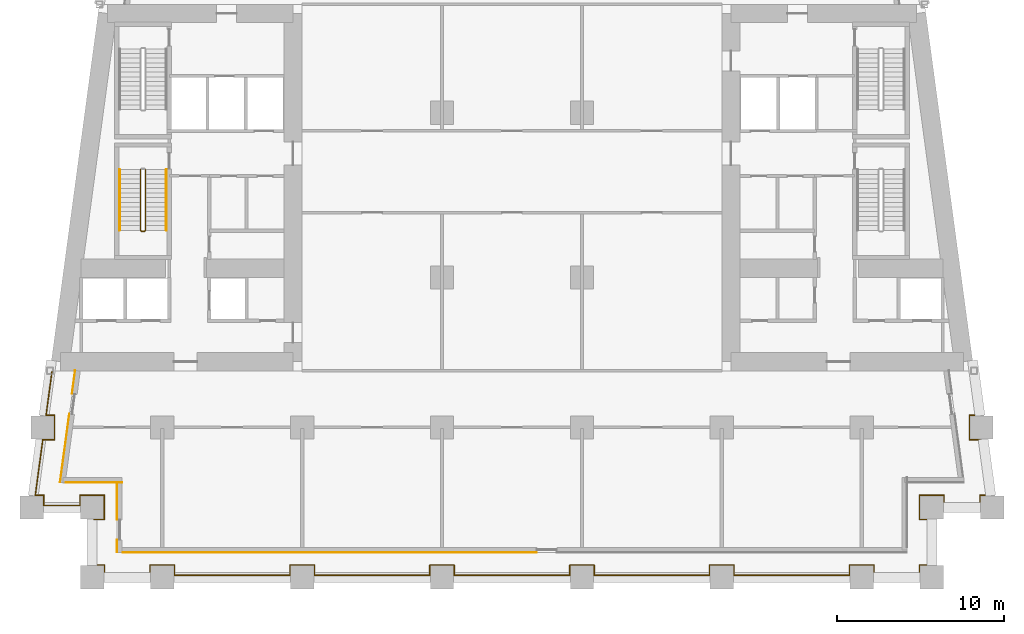
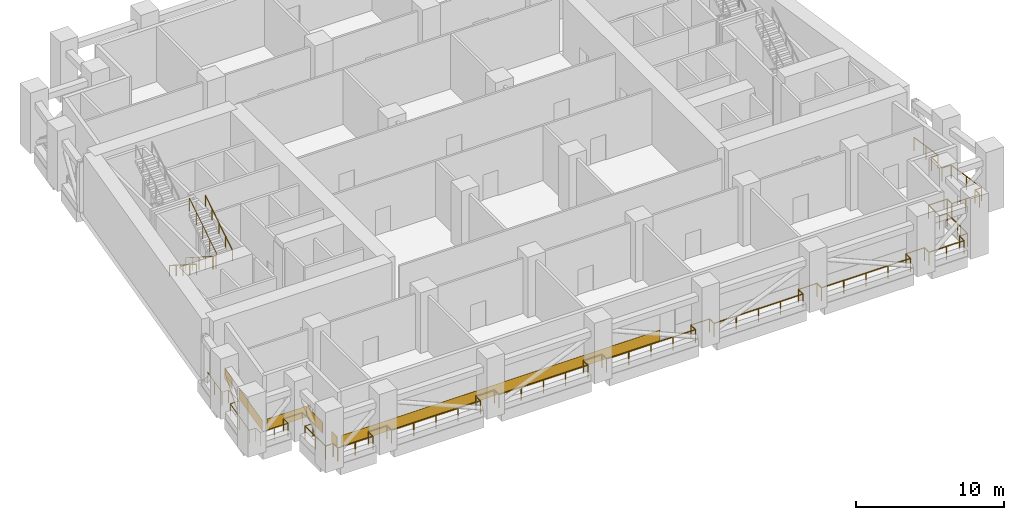
# One storey, part 9 of 12: 6 coverings, 5 railings.
"""IFC4 building model written with IfcOpenShell, lengths in metres."""

from ifc_helpers import new_model, si_unit, direction, frame, origin, origin_2d, place, context, subcontext, project, spatial, rectangle, circle, extrude, material, layer, layer_set, type_object, element, save


model = new_model("IFC4")

# Units and contexts
model_context = context("Model", 3, precision=1e-05, world=origin(), true_north=direction((0.0, 1.0)))
body_context = subcontext(model_context, "Body", "Model", "MODEL_VIEW")
ifc_project = project(units=[si_unit("LENGTHUNIT", "METRE"), si_unit("AREAUNIT", "SQUARE_METRE"), si_unit("VOLUMEUNIT", "CUBIC_METRE"), si_unit("PLANEANGLEUNIT", "RADIAN"), si_unit("MASSUNIT", "GRAM", prefix="KILO")], contexts=[model_context])

# Site, building, storey
site_placement = place(None, origin())
site = spatial("IfcSite", under=ifc_project, at=site_placement, CompositionType="ELEMENT")
building_placement = place(site_placement, origin())
building = spatial("IfcBuilding", under=site, at=building_placement, Name="Candeia Pilgrim Tower and Theatre", CompositionType="ELEMENT")
storey_placement = place(building_placement, frame((0.0, 0.0, 81.0)))
storey = spatial("IfcBuildingStorey", under=building, at=storey_placement, Name="L18", CompositionType="ELEMENT", Elevation=81.0)

# Railings
ifc_material_1 = material(Name="Stainless steel balustrade", Category="steel")
railing_type_1 = type_object("IfcRailingType", Name="G1 loggia guard 1100", PredefinedType="GUARDRAIL", material=ifc_material_1)
railing_1_placement = place(storey_placement, frame((88.320068359375, 101.469970703125, 0.0)))
element("IfcRailing", 1, at=railing_1_placement, inside=storey, type_object=railing_type_1, Name="Guard L18.1", PredefinedType="GUARDRAIL", context=body_context, shape_type="SweptSolid", body=[
    extrude(circle(Radius=0.02392578125, at=origin_2d()), frame((0.0, 0.0, 1.076171875), z_axis=(1.0, 0.0, 0.0), x_axis=(0.0, 1.0, 0.0)), (0.0, 0.0, 1.0), 0.60986328125),
    extrude(circle(Radius=0.02392578125, at=origin_2d()), frame((0.60986328125, 0.0, 1.076171875), z_axis=(0.0, 1.0, 0.0), x_axis=(-1.0, 0.0, 0.0)), (0.0, 0.0, 1.0), 1.4599609375),
    extrude(circle(Radius=0.02392578125, at=origin_2d()), frame((0.60986328125, 1.4599609375, 1.076171875), z_axis=(-1.0, 0.0, 0.0), x_axis=(0.0, -1.0, 0.0)), (0.0, 0.0, 1.0), 1.4599609375),
    extrude(circle(Radius=0.02392578125, at=origin_2d()), frame((-0.85009765625, 1.4599609375, 1.076171875), z_axis=(0.0, -1.0, 0.0), x_axis=(1.0, 0.0, 0.0)), (0.0, 0.0, 1.0), 0.60986328125),
    extrude(circle(Radius=0.02392578125, at=origin_2d()), frame((-0.85009765625, 0.85009765625, 1.076171875), z_axis=(-1.0, 0.0, 0.0), x_axis=(0.0, -1.0, 0.0)), (0.0, 0.0, 1.0), 2.174560546875),
    extrude(circle(Radius=0.02392578125, at=origin_2d()), frame((-3.024658203125, 0.85009765625, 1.076171875), z_axis=(0.0, 1.0, 0.0), x_axis=(-1.0, 0.0, 0.0)), (0.0, 0.0, 1.0), 0.60986328125),
    extrude(circle(Radius=0.02392578125, at=origin_2d()), frame((-3.024658203125, 1.4599609375, 1.076171875), z_axis=(-1.0, 0.0, 0.0), x_axis=(0.0, -1.0, 0.0)), (0.0, 0.0, 1.0), 0.5107421875),
    extrude(circle(Radius=0.02392578125, at=origin_2d()), frame((-3.535400390625, 1.4599609375, 1.076171875), z_axis=(0.133435273035, 0.991057530071, 0.0), x_axis=(-0.991057530071, 0.133435273035, 0.0)), (0.0, 0.0, 1.0), 3.3701171875),
    extrude(circle(Radius=0.02392578125, at=origin_2d()), frame((-3.085693359375, 4.800048828125, 1.076171875), z_axis=(1.0, 0.0, 0.0), x_axis=(0.0, 1.0, 0.0)), (0.0, 0.0, 1.0), 0.707275390625),
    extrude(circle(Radius=0.02392578125, at=origin_2d()), frame((-2.37841796875, 4.800048828125, 1.076171875), z_axis=(0.0, 1.0, 0.0), x_axis=(-1.0, 0.0, 0.0)), (0.0, 0.0, 1.0), 1.4599609375),
    extrude(circle(Radius=0.02392578125, at=origin_2d()), frame((-2.37841796875, 6.260009765625, 1.076171875), z_axis=(-1.0, 0.0, 0.0), x_axis=(0.0, -1.0, 0.0)), (0.0, 0.0, 1.0), 0.5107421875),
    extrude(circle(Radius=0.02392578125, at=origin_2d()), frame((-2.88916015625, 6.260009765625, 1.076171875), z_axis=(0.133439920495, 0.991056904329, 0.0), x_axis=(-0.991056904329, 0.133439920495, 0.0)), (0.0, 0.0, 1.0), 2.643798828125),
    extrude(circle(Radius=0.02099609375, at=origin_2d()), origin(), (0.0, 0.0, 1.0), 1.052001953125),
    extrude(circle(Radius=0.02099609375, at=origin_2d()), frame((0.60986328125, 0.0, 0.0)), (0.0, 0.0, 1.0), 1.052001953125),
    extrude(circle(Radius=0.02099609375, at=origin_2d()), frame((0.60986328125, 1.4599609375, 0.0)), (0.0, 0.0, 1.0), 1.052001953125),
    extrude(circle(Radius=0.02099609375, at=origin_2d()), frame((-0.85009765625, 1.4599609375, 0.0)), (0.0, 0.0, 1.0), 1.052001953125),
    extrude(circle(Radius=0.02099609375, at=origin_2d()), frame((-0.85009765625, 0.85009765625, 0.0)), (0.0, 0.0, 1.0), 1.052001953125),
    extrude(circle(Radius=0.02099609375, at=origin_2d()), frame((-1.9375, 0.85009765625, 0.0)), (0.0, 0.0, 1.0), 1.052001953125),
    extrude(circle(Radius=0.02099609375, at=origin_2d()), frame((-3.024658203125, 0.85009765625, 0.0)), (0.0, 0.0, 1.0), 1.052001953125),
    extrude(circle(Radius=0.02099609375, at=origin_2d()), frame((-3.024658203125, 1.4599609375, 0.0)), (0.0, 0.0, 1.0), 1.052001953125),
    extrude(circle(Radius=0.02099609375, at=origin_2d()), frame((-3.535400390625, 1.4599609375, 0.0)), (0.0, 0.0, 1.0), 1.052001953125),
    extrude(circle(Radius=0.02099609375, at=origin_2d()), frame((-3.310546875, 3.1298828125, 0.0)), (0.0, 0.0, 1.0), 1.052001953125),
    extrude(circle(Radius=0.02099609375, at=origin_2d()), frame((-3.085693359375, 4.800048828125, 0.0)), (0.0, 0.0, 1.0), 1.052001953125),
    extrude(circle(Radius=0.02099609375, at=origin_2d()), frame((-2.37841796875, 4.800048828125, 0.0)), (0.0, 0.0, 1.0), 1.052001953125),
    extrude(circle(Radius=0.02099609375, at=origin_2d()), frame((-2.37841796875, 6.260009765625, 0.0)), (0.0, 0.0, 1.0), 1.052001953125),
    extrude(circle(Radius=0.02099609375, at=origin_2d()), frame((-2.88916015625, 6.260009765625, 0.0)), (0.0, 0.0, 1.0), 1.052001953125),
    extrude(circle(Radius=0.02099609375, at=origin_2d()), frame((-2.712890625, 7.570068359375, 0.0)), (0.0, 0.0, 1.0), 1.052001953125),
    extrude(circle(Radius=0.02099609375, at=origin_2d()), frame((-2.536376953125, 8.880126953125, 0.0)), (0.0, 0.0, 1.0), 1.052001953125),
])
railing_2_placement = place(storey_placement, frame((141.016357421875, 110.35009765625, 0.0)))
element("IfcRailing", 2, at=railing_2_placement, inside=storey, type_object=railing_type_1, Name="Guard L18.3", PredefinedType="GUARDRAIL", context=body_context, shape_type="SweptSolid", body=[
    extrude(circle(Radius=0.02392578125, at=origin_2d()), frame((0.0, 0.0, 1.076171875), z_axis=(0.133439920495, -0.991056904329, 0.0), x_axis=(0.991056904329, 0.133439920495, 0.0)), (0.0, 0.0, 1.0), 2.643798828125),
    extrude(circle(Radius=0.02392578125, at=origin_2d()), frame((0.352783203125, -2.6201171875, 1.076171875), z_axis=(-1.0, 0.0, 0.0), x_axis=(0.0, -1.0, 0.0)), (0.0, 0.0, 1.0), 0.5107421875),
    extrude(circle(Radius=0.02392578125, at=origin_2d()), frame((-0.157958984375, -2.6201171875, 1.076171875), z_axis=(0.0, -1.0, 0.0), x_axis=(1.0, 0.0, 0.0)), (0.0, 0.0, 1.0), 1.4599609375),
    extrude(circle(Radius=0.02392578125, at=origin_2d()), frame((-0.157958984375, -4.080078125, 1.076171875), z_axis=(1.0, 0.0, 0.0), x_axis=(0.0, 1.0, 0.0)), (0.0, 0.0, 1.0), 0.707275390625),
    extrude(circle(Radius=0.02392578125, at=origin_2d()), frame((0.54931640625, -4.080078125, 1.076171875), z_axis=(0.133435273035, -0.991057530071, 0.0), x_axis=(0.991057530071, 0.133435273035, 0.0)), (0.0, 0.0, 1.0), 3.3701171875),
    extrude(circle(Radius=0.02392578125, at=origin_2d()), frame((0.9990234375, -7.420166015625, 1.076171875), z_axis=(-1.0, 0.0, 0.0), x_axis=(0.0, -1.0, 0.0)), (0.0, 0.0, 1.0), 0.5107421875),
    extrude(circle(Radius=0.02392578125, at=origin_2d()), frame((0.48828125, -7.420166015625, 1.076171875), z_axis=(0.0, -1.0, 0.0), x_axis=(1.0, 0.0, 0.0)), (0.0, 0.0, 1.0), 0.60986328125),
    extrude(circle(Radius=0.02392578125, at=origin_2d()), frame((0.48828125, -8.030029296875, 1.076171875), z_axis=(-1.0, 0.0, 0.0), x_axis=(0.0, -1.0, 0.0)), (0.0, 0.0, 1.0), 2.174560546875),
    extrude(circle(Radius=0.02392578125, at=origin_2d()), frame((-1.686279296875, -8.030029296875, 1.076171875), z_axis=(0.0, 1.0, 0.0), x_axis=(-1.0, 0.0, 0.0)), (0.0, 0.0, 1.0), 0.60986328125),
    extrude(circle(Radius=0.02392578125, at=origin_2d()), frame((-1.686279296875, -7.420166015625, 1.076171875), z_axis=(-1.0, 0.0, 0.0), x_axis=(0.0, -1.0, 0.0)), (0.0, 0.0, 1.0), 1.4599609375),
    extrude(circle(Radius=0.02392578125, at=origin_2d()), frame((-3.146240234375, -7.420166015625, 1.076171875), z_axis=(0.0, -1.0, 0.0), x_axis=(1.0, 0.0, 0.0)), (0.0, 0.0, 1.0), 1.4599609375),
    extrude(circle(Radius=0.02392578125, at=origin_2d()), frame((-3.146240234375, -8.880126953125, 1.076171875), z_axis=(1.0, 0.0, 0.0), x_axis=(0.0, 1.0, 0.0)), (0.0, 0.0, 1.0), 0.60986328125),
    extrude(circle(Radius=0.02392578125, at=origin_2d()), frame((-2.536376953125, -8.880126953125, 1.076171875), z_axis=(0.0, -1.0, 0.0), x_axis=(1.0, 0.0, 0.0)), (0.0, 0.0, 1.0), 2.739990234375),
    extrude(circle(Radius=0.02392578125, at=origin_2d()), frame((-2.536376953125, -11.6201171875, 1.076171875), z_axis=(-1.0, 0.0, 0.0), x_axis=(0.0, -1.0, 0.0)), (0.0, 0.0, 1.0), 0.60986328125),
    extrude(circle(Radius=0.02392578125, at=origin_2d()), frame((-3.146240234375, -11.6201171875, 1.076171875), z_axis=(0.0, -1.0, 0.0), x_axis=(1.0, 0.0, 0.0)), (0.0, 0.0, 1.0), 0.60986328125),
    extrude(circle(Radius=0.02392578125, at=origin_2d()), frame((-3.146240234375, -12.22998046875, 1.076171875), z_axis=(-1.0, 0.0, 0.0), x_axis=(0.0, -1.0, 0.0)), (0.0, 0.0, 1.0), 2.740234375),
    extrude(circle(Radius=0.02392578125, at=origin_2d()), frame((-5.886474609375, -12.22998046875, 1.076171875), z_axis=(0.0, 1.0, 0.0), x_axis=(-1.0, 0.0, 0.0)), (0.0, 0.0, 1.0), 0.60986328125),
    extrude(circle(Radius=0.02392578125, at=origin_2d()), frame((-5.886474609375, -11.6201171875, 1.076171875), z_axis=(-1.0, 0.0, 0.0), x_axis=(0.0, -1.0, 0.0)), (0.0, 0.0, 1.0), 1.4599609375),
    extrude(circle(Radius=0.02392578125, at=origin_2d()), frame((-7.346435546875, -11.6201171875, 1.076171875), z_axis=(0.0, -1.0, 0.0), x_axis=(1.0, 0.0, 0.0)), (0.0, 0.0, 1.0), 0.60986328125),
    extrude(circle(Radius=0.02392578125, at=origin_2d()), frame((-7.346435546875, -12.22998046875, 1.076171875), z_axis=(-1.0, 0.0, 0.0), x_axis=(0.0, -1.0, 0.0)), (0.0, 0.0, 1.0), 6.93994140625),
    extrude(circle(Radius=0.02392578125, at=origin_2d()), frame((-14.286376953125, -12.22998046875, 1.076171875), z_axis=(0.0, 1.0, 0.0), x_axis=(-1.0, 0.0, 0.0)), (0.0, 0.0, 1.0), 0.60986328125),
    extrude(circle(Radius=0.02392578125, at=origin_2d()), frame((-14.286376953125, -11.6201171875, 1.076171875), z_axis=(-1.0, 0.0, 0.0), x_axis=(0.0, -1.0, 0.0)), (0.0, 0.0, 1.0), 1.4599609375),
    extrude(circle(Radius=0.02392578125, at=origin_2d()), frame((-15.746337890625, -11.6201171875, 1.076171875), z_axis=(0.0, -1.0, 0.0), x_axis=(1.0, 0.0, 0.0)), (0.0, 0.0, 1.0), 0.60986328125),
    extrude(circle(Radius=0.02392578125, at=origin_2d()), frame((-15.746337890625, -12.22998046875, 1.076171875), z_axis=(-1.0, 0.0, 0.0), x_axis=(0.0, -1.0, 0.0)), (0.0, 0.0, 1.0), 6.93994140625),
    extrude(circle(Radius=0.02392578125, at=origin_2d()), frame((-22.686279296875, -12.22998046875, 1.076171875), z_axis=(0.0, 1.0, 0.0), x_axis=(-1.0, 0.0, 0.0)), (0.0, 0.0, 1.0), 0.60986328125),
    extrude(circle(Radius=0.02392578125, at=origin_2d()), frame((-22.686279296875, -11.6201171875, 1.076171875), z_axis=(-1.0, 0.0, 0.0), x_axis=(0.0, -1.0, 0.0)), (0.0, 0.0, 1.0), 1.4599609375),
    extrude(circle(Radius=0.02392578125, at=origin_2d()), frame((-24.146240234375, -11.6201171875, 1.076171875), z_axis=(0.0, -1.0, 0.0), x_axis=(1.0, 0.0, 0.0)), (0.0, 0.0, 1.0), 0.60986328125),
    extrude(circle(Radius=0.02392578125, at=origin_2d()), frame((-24.146240234375, -12.22998046875, 1.076171875), z_axis=(-1.0, 0.0, 0.0), x_axis=(0.0, -1.0, 0.0)), (0.0, 0.0, 1.0), 6.940185546875),
    extrude(circle(Radius=0.02392578125, at=origin_2d()), frame((-31.08642578125, -12.22998046875, 1.076171875), z_axis=(0.0, 1.0, 0.0), x_axis=(-1.0, 0.0, 0.0)), (0.0, 0.0, 1.0), 0.60986328125),
    extrude(circle(Radius=0.02392578125, at=origin_2d()), frame((-31.08642578125, -11.6201171875, 1.076171875), z_axis=(-1.0, 0.0, 0.0), x_axis=(0.0, -1.0, 0.0)), (0.0, 0.0, 1.0), 1.4599609375),
    extrude(circle(Radius=0.02392578125, at=origin_2d()), frame((-32.54638671875, -11.6201171875, 1.076171875), z_axis=(0.0, -1.0, 0.0), x_axis=(1.0, 0.0, 0.0)), (0.0, 0.0, 1.0), 0.60986328125),
    extrude(circle(Radius=0.02392578125, at=origin_2d()), frame((-32.54638671875, -12.22998046875, 1.076171875), z_axis=(-1.0, 0.0, 0.0), x_axis=(0.0, -1.0, 0.0)), (0.0, 0.0, 1.0), 6.93994140625),
    extrude(circle(Radius=0.02392578125, at=origin_2d()), frame((-39.486328125, -12.22998046875, 1.076171875), z_axis=(0.0, 1.0, 0.0), x_axis=(-1.0, 0.0, 0.0)), (0.0, 0.0, 1.0), 0.60986328125),
    extrude(circle(Radius=0.02392578125, at=origin_2d()), frame((-39.486328125, -11.6201171875, 1.076171875), z_axis=(-1.0, 0.0, 0.0), x_axis=(0.0, -1.0, 0.0)), (0.0, 0.0, 1.0), 1.4599609375),
    extrude(circle(Radius=0.02392578125, at=origin_2d()), frame((-40.9462890625, -11.6201171875, 1.076171875), z_axis=(0.0, -1.0, 0.0), x_axis=(1.0, 0.0, 0.0)), (0.0, 0.0, 1.0), 0.60986328125),
    extrude(circle(Radius=0.02392578125, at=origin_2d()), frame((-40.9462890625, -12.22998046875, 1.076171875), z_axis=(-1.0, 0.0, 0.0), x_axis=(0.0, -1.0, 0.0)), (0.0, 0.0, 1.0), 6.940185546875),
    extrude(circle(Radius=0.02392578125, at=origin_2d()), frame((-47.886474609375, -12.22998046875, 1.076171875), z_axis=(0.0, 1.0, 0.0), x_axis=(-1.0, 0.0, 0.0)), (0.0, 0.0, 1.0), 0.60986328125),
    extrude(circle(Radius=0.02392578125, at=origin_2d()), frame((-47.886474609375, -11.6201171875, 1.076171875), z_axis=(-1.0, 0.0, 0.0), x_axis=(0.0, -1.0, 0.0)), (0.0, 0.0, 1.0), 1.4599609375),
    extrude(circle(Radius=0.02392578125, at=origin_2d()), frame((-49.346435546875, -11.6201171875, 1.076171875), z_axis=(0.0, -1.0, 0.0), x_axis=(1.0, 0.0, 0.0)), (0.0, 0.0, 1.0), 0.60986328125),
    extrude(circle(Radius=0.02392578125, at=origin_2d()), frame((-49.346435546875, -12.22998046875, 1.076171875), z_axis=(-1.0, 0.0, 0.0), x_axis=(0.0, -1.0, 0.0)), (0.0, 0.0, 1.0), 2.739990234375),
    extrude(circle(Radius=0.02392578125, at=origin_2d()), frame((-52.08642578125, -12.22998046875, 1.076171875), z_axis=(0.0, 1.0, 0.0), x_axis=(-1.0, 0.0, 0.0)), (0.0, 0.0, 1.0), 0.60986328125),
    extrude(circle(Radius=0.02392578125, at=origin_2d()), frame((-52.08642578125, -11.6201171875, 1.076171875), z_axis=(-1.0, 0.0, 0.0), x_axis=(0.0, -1.0, 0.0)), (0.0, 0.0, 1.0), 0.60986328125),
    extrude(circle(Radius=0.02392578125, at=origin_2d()), frame((-52.6962890625, -11.6201171875, 1.076171875), z_axis=(0.0, 1.0, 0.0), x_axis=(-1.0, 0.0, 0.0)), (0.0, 0.0, 1.0), 2.739990234375),
    extrude(circle(Radius=0.02099609375, at=origin_2d()), origin(), (0.0, 0.0, 1.0), 1.052001953125),
    extrude(circle(Radius=0.02099609375, at=origin_2d()), frame((0.17626953125, -1.31005859375, 0.0)), (0.0, 0.0, 1.0), 1.052001953125),
    extrude(circle(Radius=0.02099609375, at=origin_2d()), frame((0.352783203125, -2.6201171875, 0.0)), (0.0, 0.0, 1.0), 1.052001953125),
    extrude(circle(Radius=0.02099609375, at=origin_2d()), frame((-0.157958984375, -2.6201171875, 0.0)), (0.0, 0.0, 1.0), 1.052001953125),
    extrude(circle(Radius=0.02099609375, at=origin_2d()), frame((-0.157958984375, -4.080078125, 0.0)), (0.0, 0.0, 1.0), 1.052001953125),
    extrude(circle(Radius=0.02099609375, at=origin_2d()), frame((0.54931640625, -4.080078125, 0.0)), (0.0, 0.0, 1.0), 1.052001953125),
    extrude(circle(Radius=0.02099609375, at=origin_2d()), frame((0.774169921875, -5.75, 0.0)), (0.0, 0.0, 1.0), 1.052001953125),
    extrude(circle(Radius=0.02099609375, at=origin_2d()), frame((0.9990234375, -7.420166015625, 0.0)), (0.0, 0.0, 1.0), 1.052001953125),
    extrude(circle(Radius=0.02099609375, at=origin_2d()), frame((0.48828125, -7.420166015625, 0.0)), (0.0, 0.0, 1.0), 1.052001953125),
    extrude(circle(Radius=0.02099609375, at=origin_2d()), frame((0.48828125, -8.030029296875, 0.0)), (0.0, 0.0, 1.0), 1.052001953125),
    extrude(circle(Radius=0.02099609375, at=origin_2d()), frame((-0.59912109375, -8.030029296875, 0.0)), (0.0, 0.0, 1.0), 1.052001953125),
    extrude(circle(Radius=0.02099609375, at=origin_2d()), frame((-1.686279296875, -8.030029296875, 0.0)), (0.0, 0.0, 1.0), 1.052001953125),
    extrude(circle(Radius=0.02099609375, at=origin_2d()), frame((-1.686279296875, -7.420166015625, 0.0)), (0.0, 0.0, 1.0), 1.052001953125),
    extrude(circle(Radius=0.02099609375, at=origin_2d()), frame((-3.146240234375, -7.420166015625, 0.0)), (0.0, 0.0, 1.0), 1.052001953125),
    extrude(circle(Radius=0.02099609375, at=origin_2d()), frame((-3.146240234375, -8.880126953125, 0.0)), (0.0, 0.0, 1.0), 1.052001953125),
    extrude(circle(Radius=0.02099609375, at=origin_2d()), frame((-2.536376953125, -8.880126953125, 0.0)), (0.0, 0.0, 1.0), 1.052001953125),
    extrude(circle(Radius=0.02099609375, at=origin_2d()), frame((-2.536376953125, -10.25, 0.0)), (0.0, 0.0, 1.0), 1.052001953125),
    extrude(circle(Radius=0.02099609375, at=origin_2d()), frame((-2.536376953125, -11.6201171875, 0.0)), (0.0, 0.0, 1.0), 1.052001953125),
    extrude(circle(Radius=0.02099609375, at=origin_2d()), frame((-3.146240234375, -11.6201171875, 0.0)), (0.0, 0.0, 1.0), 1.052001953125),
    extrude(circle(Radius=0.02099609375, at=origin_2d()), frame((-3.146240234375, -12.22998046875, 0.0)), (0.0, 0.0, 1.0), 1.052001953125),
    extrude(circle(Radius=0.02099609375, at=origin_2d()), frame((-4.516357421875, -12.22998046875, 0.0)), (0.0, 0.0, 1.0), 1.052001953125),
    extrude(circle(Radius=0.02099609375, at=origin_2d()), frame((-5.886474609375, -12.22998046875, 0.0)), (0.0, 0.0, 1.0), 1.052001953125),
    extrude(circle(Radius=0.02099609375, at=origin_2d()), frame((-5.886474609375, -11.6201171875, 0.0)), (0.0, 0.0, 1.0), 1.052001953125),
    extrude(circle(Radius=0.02099609375, at=origin_2d()), frame((-7.346435546875, -11.6201171875, 0.0)), (0.0, 0.0, 1.0), 1.052001953125),
    extrude(circle(Radius=0.02099609375, at=origin_2d()), frame((-7.346435546875, -12.22998046875, 0.0)), (0.0, 0.0, 1.0), 1.052001953125),
    extrude(circle(Radius=0.02099609375, at=origin_2d()), frame((-9.08154296875, -12.22998046875, 0.0)), (0.0, 0.0, 1.0), 1.052001953125),
    extrude(circle(Radius=0.02099609375, at=origin_2d()), frame((-10.81640625, -12.22998046875, 0.0)), (0.0, 0.0, 1.0), 1.052001953125),
    extrude(circle(Radius=0.02099609375, at=origin_2d()), frame((-12.55126953125, -12.22998046875, 0.0)), (0.0, 0.0, 1.0), 1.052001953125),
    extrude(circle(Radius=0.02099609375, at=origin_2d()), frame((-14.286376953125, -12.22998046875, 0.0)), (0.0, 0.0, 1.0), 1.052001953125),
    extrude(circle(Radius=0.02099609375, at=origin_2d()), frame((-14.286376953125, -11.6201171875, 0.0)), (0.0, 0.0, 1.0), 1.052001953125),
    extrude(circle(Radius=0.02099609375, at=origin_2d()), frame((-15.746337890625, -11.6201171875, 0.0)), (0.0, 0.0, 1.0), 1.052001953125),
    extrude(circle(Radius=0.02099609375, at=origin_2d()), frame((-15.746337890625, -12.22998046875, 0.0)), (0.0, 0.0, 1.0), 1.052001953125),
    extrude(circle(Radius=0.02099609375, at=origin_2d()), frame((-17.4814453125, -12.22998046875, 0.0)), (0.0, 0.0, 1.0), 1.052001953125),
    extrude(circle(Radius=0.02099609375, at=origin_2d()), frame((-19.21630859375, -12.22998046875, 0.0)), (0.0, 0.0, 1.0), 1.052001953125),
    extrude(circle(Radius=0.02099609375, at=origin_2d()), frame((-20.951171875, -12.22998046875, 0.0)), (0.0, 0.0, 1.0), 1.052001953125),
    extrude(circle(Radius=0.02099609375, at=origin_2d()), frame((-22.686279296875, -12.22998046875, 0.0)), (0.0, 0.0, 1.0), 1.052001953125),
    extrude(circle(Radius=0.02099609375, at=origin_2d()), frame((-22.686279296875, -11.6201171875, 0.0)), (0.0, 0.0, 1.0), 1.052001953125),
    extrude(circle(Radius=0.02099609375, at=origin_2d()), frame((-24.146240234375, -11.6201171875, 0.0)), (0.0, 0.0, 1.0), 1.052001953125),
    extrude(circle(Radius=0.02099609375, at=origin_2d()), frame((-24.146240234375, -12.22998046875, 0.0)), (0.0, 0.0, 1.0), 1.052001953125),
    extrude(circle(Radius=0.02099609375, at=origin_2d()), frame((-25.88134765625, -12.22998046875, 0.0)), (0.0, 0.0, 1.0), 1.052001953125),
    extrude(circle(Radius=0.02099609375, at=origin_2d()), frame((-27.6162109375, -12.22998046875, 0.0)), (0.0, 0.0, 1.0), 1.052001953125),
    extrude(circle(Radius=0.02099609375, at=origin_2d()), frame((-29.351318359375, -12.22998046875, 0.0)), (0.0, 0.0, 1.0), 1.052001953125),
    extrude(circle(Radius=0.02099609375, at=origin_2d()), frame((-31.08642578125, -12.22998046875, 0.0)), (0.0, 0.0, 1.0), 1.052001953125),
    extrude(circle(Radius=0.02099609375, at=origin_2d()), frame((-31.08642578125, -11.6201171875, 0.0)), (0.0, 0.0, 1.0), 1.052001953125),
    extrude(circle(Radius=0.02099609375, at=origin_2d()), frame((-32.54638671875, -11.6201171875, 0.0)), (0.0, 0.0, 1.0), 1.052001953125),
    extrude(circle(Radius=0.02099609375, at=origin_2d()), frame((-32.54638671875, -12.22998046875, 0.0)), (0.0, 0.0, 1.0), 1.052001953125),
    extrude(circle(Radius=0.02099609375, at=origin_2d()), frame((-34.28125, -12.22998046875, 0.0)), (0.0, 0.0, 1.0), 1.052001953125),
    extrude(circle(Radius=0.02099609375, at=origin_2d()), frame((-36.016357421875, -12.22998046875, 0.0)), (0.0, 0.0, 1.0), 1.052001953125),
    extrude(circle(Radius=0.02099609375, at=origin_2d()), frame((-37.75146484375, -12.22998046875, 0.0)), (0.0, 0.0, 1.0), 1.052001953125),
    extrude(circle(Radius=0.02099609375, at=origin_2d()), frame((-39.486328125, -12.22998046875, 0.0)), (0.0, 0.0, 1.0), 1.052001953125),
    extrude(circle(Radius=0.02099609375, at=origin_2d()), frame((-39.486328125, -11.6201171875, 0.0)), (0.0, 0.0, 1.0), 1.052001953125),
    extrude(circle(Radius=0.02099609375, at=origin_2d()), frame((-40.9462890625, -11.6201171875, 0.0)), (0.0, 0.0, 1.0), 1.052001953125),
    extrude(circle(Radius=0.02099609375, at=origin_2d()), frame((-40.9462890625, -12.22998046875, 0.0)), (0.0, 0.0, 1.0), 1.052001953125),
    extrude(circle(Radius=0.02099609375, at=origin_2d()), frame((-42.681396484375, -12.22998046875, 0.0)), (0.0, 0.0, 1.0), 1.052001953125),
    extrude(circle(Radius=0.02099609375, at=origin_2d()), frame((-44.41650390625, -12.22998046875, 0.0)), (0.0, 0.0, 1.0), 1.052001953125),
    extrude(circle(Radius=0.02099609375, at=origin_2d()), frame((-46.1513671875, -12.22998046875, 0.0)), (0.0, 0.0, 1.0), 1.052001953125),
    extrude(circle(Radius=0.02099609375, at=origin_2d()), frame((-47.886474609375, -12.22998046875, 0.0)), (0.0, 0.0, 1.0), 1.052001953125),
    extrude(circle(Radius=0.02099609375, at=origin_2d()), frame((-47.886474609375, -11.6201171875, 0.0)), (0.0, 0.0, 1.0), 1.052001953125),
    extrude(circle(Radius=0.02099609375, at=origin_2d()), frame((-49.346435546875, -11.6201171875, 0.0)), (0.0, 0.0, 1.0), 1.052001953125),
    extrude(circle(Radius=0.02099609375, at=origin_2d()), frame((-49.346435546875, -12.22998046875, 0.0)), (0.0, 0.0, 1.0), 1.052001953125),
    extrude(circle(Radius=0.02099609375, at=origin_2d()), frame((-50.71630859375, -12.22998046875, 0.0)), (0.0, 0.0, 1.0), 1.052001953125),
    extrude(circle(Radius=0.02099609375, at=origin_2d()), frame((-52.08642578125, -12.22998046875, 0.0)), (0.0, 0.0, 1.0), 1.052001953125),
    extrude(circle(Radius=0.02099609375, at=origin_2d()), frame((-52.08642578125, -11.6201171875, 0.0)), (0.0, 0.0, 1.0), 1.052001953125),
    extrude(circle(Radius=0.02099609375, at=origin_2d()), frame((-52.6962890625, -11.6201171875, 0.0)), (0.0, 0.0, 1.0), 1.052001953125),
    extrude(circle(Radius=0.02099609375, at=origin_2d()), frame((-52.6962890625, -10.25, 0.0)), (0.0, 0.0, 1.0), 1.052001953125),
    extrude(circle(Radius=0.02099609375, at=origin_2d()), frame((-52.6962890625, -8.880126953125, 0.0)), (0.0, 0.0, 1.0), 1.052001953125),
])

# Coverings
ifc_material_2 = material(Name="Glazed ceramic tile red")
ifc_layer = layer(ifc_material_2, 0.02001953125)
ifc_layer_set = layer_set([ifc_layer], Name="Glazed ceramic tile red")
covering_type = type_object("IfcCoveringType", Name="Glazed ceramic tile red", PredefinedType="CLADDING", material=ifc_layer_set)
covering_1_placement = place(storey_placement, frame((102.4599609375, 99.489990234375, 0.0), z_axis=(0.0, 0.0, 1.0), x_axis=(1.0, 0.0, 0.0)))
element("IfcCovering", 3, at=covering_1_placement, inside=storey, type_object=covering_type, Name="Tile cladding red L18", PredefinedType="CLADDING", context=body_context, shape_type="SweptSolid", body=[
    extrude(rectangle(XDim=24.8798828125, YDim=0.02001953125, at=origin_2d()), origin(), (0.0, 0.0, 1.0), 0.89990234375),
])
covering_2_placement = place(storey_placement, frame((87.0810546875, 109.71875, 0.0), z_axis=(0.0, 0.0, 1.0), x_axis=(-0.133412012145, -0.991060661622, 0.0)))
element("IfcCovering", 4, at=covering_2_placement, inside=storey, type_object=covering_type, Name="Tile cladding red L18", PredefinedType="CLADDING", context=body_context, shape_type="SweptSolid", body=[
    extrude(rectangle(XDim=1.41796875, YDim=0.02001953125, at=origin_2d()), origin(), (0.0, 0.0, 1.0), 0.89990234375),
])
covering_3_placement = place(storey_placement, frame((86.548583984375, 105.763916015625, 0.0), z_axis=(0.0, 0.0, 1.0), x_axis=(-0.133412012145, -0.991060661622, 0.0)))
element("IfcCovering", 5, at=covering_3_placement, inside=storey, type_object=covering_type, Name="Tile cladding red L18", PredefinedType="CLADDING", context=body_context, shape_type="SweptSolid", body=[
    extrude(rectangle(XDim=4.16259765625, YDim=0.02001953125, at=origin_2d()), origin(), (0.0, 0.0, 1.0), 0.89990234375),
])
covering_4_placement = place(storey_placement, frame((88.311279296875, 103.68994140625, 0.0), z_axis=(0.0, 0.0, 1.0), x_axis=(1.0, 0.0, 0.0)))
element("IfcCovering", 6, at=covering_4_placement, inside=storey, type_object=covering_type, Name="Tile cladding red L18", PredefinedType="CLADDING", context=body_context, shape_type="SweptSolid", body=[
    extrude(rectangle(XDim=3.377685546875, YDim=0.02001953125, at=origin_2d()), origin(), (0.0, 0.0, 1.0), 0.89990234375),
])
covering_5_placement = place(storey_placement, frame((89.68994140625, 102.56494140625, 0.0), z_axis=(0.0, 0.0, 1.0), x_axis=(0.0, -1.0, 0.0)))
element("IfcCovering", 7, at=covering_5_placement, inside=storey, type_object=covering_type, Name="Tile cladding red L18", PredefinedType="CLADDING", context=body_context, shape_type="SweptSolid", body=[
    extrude(rectangle(XDim=2.22998046875, YDim=0.02001953125, at=origin_2d()), origin(), (0.0, 0.0, 1.0), 0.89990234375),
])
covering_6_placement = place(storey_placement, frame((89.68994140625, 99.875, 0.0), z_axis=(0.0, 0.0, 1.0), x_axis=(0.0, -1.0, 0.0)))
element("IfcCovering", 8, at=covering_6_placement, inside=storey, type_object=covering_type, Name="Tile cladding red L18", PredefinedType="CLADDING", context=body_context, shape_type="SweptSolid", body=[
    extrude(rectangle(XDim=0.75, YDim=0.02001953125, at=origin_2d()), origin(), (0.0, 0.0, 1.0), 0.89990234375),
])

# Railings
railing_type_2 = type_object("IfcRailingType", Name="RL-GUARD-1100", PredefinedType="GUARDRAIL", material=ifc_material_1)
railing_3_placement = place(storey_placement, frame((91.10205078125, 122.47509765625, 0.178466796875)))
element("IfcRailing", 9, at=railing_3_placement, inside=storey, type_object=railing_type_2, Name="L18 ST1 stair guard 1", PredefinedType="GUARDRAIL", context=body_context, shape_type="SweptSolid", body=[
    extrude(circle(Radius=0.02392578125, at=origin_2d()), frame((0.0, 0.0, 1.076171875), z_axis=(0.0, -0.843127859045, 0.537713132908), x_axis=(1.0, 0.0, 0.0)), (0.0, 0.0, 1.0), 4.3173828125),
    extrude(circle(Radius=0.02392578125, at=origin_2d()), frame((0.0, -3.64013671875, 3.3974609375), z_axis=(0.707106781187, -0.707106781187, 0.0), x_axis=(0.707106781187, 0.707106781187, 0.0)), (0.0, 0.0, 1.0), 0.07080078125),
    extrude(circle(Radius=0.02392578125, at=origin_2d()), frame((0.050048828125, -3.690185546875, 3.3974609375), z_axis=(1.0, 0.0, 0.0), x_axis=(0.0, 1.0, 0.0)), (0.0, 0.0, 1.0), 0.199951171875),
    extrude(circle(Radius=0.02392578125, at=origin_2d()), frame((0.25, -3.690185546875, 3.3974609375), z_axis=(0.260684529273, 0.260684529273, 0.929562882432), x_axis=(-0.707106781187, 0.707106781187, 0.0)), (0.0, 0.0, 1.0), 0.19189453125),
    extrude(circle(Radius=0.02392578125, at=origin_2d()), frame((0.300048828125, -3.64013671875, 3.576171875), z_axis=(0.0, 0.843127859045, 0.537713132908), x_axis=(-1.0, 0.0, 0.0)), (0.0, 0.0, 1.0), 4.3173828125),
    extrude(circle(Radius=0.02099609375, at=origin_2d()), origin(), (0.0, 0.0, 1.0), 1.052001953125),
    extrude(circle(Radius=0.02099609375, at=origin_2d()), frame((0.0, -0.91015625, 0.580322265625)), (0.0, 0.0, 1.0), 1.052001953125),
    extrude(circle(Radius=0.02099609375, at=origin_2d()), frame((0.0, -1.820068359375, 1.16064453125)), (0.0, 0.0, 1.0), 1.052001953125),
    extrude(circle(Radius=0.02099609375, at=origin_2d()), frame((0.0, -2.72998046875, 1.7412109375)), (0.0, 0.0, 1.0), 1.052001953125),
    extrude(circle(Radius=0.02099609375, at=origin_2d()), frame((0.0, -3.64013671875, 2.321533203125)), (0.0, 0.0, 1.0), 1.052001953125),
    extrude(circle(Radius=0.02099609375, at=origin_2d()), frame((0.050048828125, -3.690185546875, 2.321533203125)), (0.0, 0.0, 1.0), 1.052001953125),
    extrude(circle(Radius=0.02099609375, at=origin_2d()), frame((0.25, -3.690185546875, 2.321533203125)), (0.0, 0.0, 1.0), 1.052001953125),
    extrude(circle(Radius=0.02099609375, at=origin_2d()), frame((0.300048828125, -3.64013671875, 2.5)), (0.0, 0.0, 1.0), 1.052001953125),
    extrude(circle(Radius=0.02099609375, at=origin_2d()), frame((0.300048828125, -2.72998046875, 3.080322265625)), (0.0, 0.0, 1.0), 1.052001953125),
    extrude(circle(Radius=0.02099609375, at=origin_2d()), frame((0.300048828125, -1.820068359375, 3.66064453125)), (0.0, 0.0, 1.0), 1.052001953125),
    extrude(circle(Radius=0.02099609375, at=origin_2d()), frame((0.300048828125, -0.91015625, 4.2412109375)), (0.0, 0.0, 1.0), 1.052001953125),
    extrude(circle(Radius=0.02099609375, at=origin_2d()), frame((0.300048828125, 0.0, 4.821533203125)), (0.0, 0.0, 1.0), 1.052001953125),
])
ifc_material_3 = material(Name="Stainless steel handrail", Category="steel")
railing_type_3 = type_object("IfcRailingType", Name="RL-HANDRAIL-900", PredefinedType="HANDRAIL", material=ifc_material_3)
railing_4_placement = place(storey_placement, frame((89.85205078125, 122.47509765625, 0.178466796875)))
element("IfcRailing", 10, at=railing_4_placement, inside=storey, type_object=railing_type_3, Name="L18 ST1 stair handrail 1", PredefinedType="HANDRAIL", context=body_context, shape_type="SweptSolid", body=[
    extrude(circle(Radius=0.02392578125, at=origin_2d()), frame((0.0, 0.0, 0.8759765625), z_axis=(0.0, -0.843127859045, 0.537713132908), x_axis=(1.0, 0.0, 0.0)), (0.0, 0.0, 1.0), 4.3173828125),
    extrude(circle(Radius=0.02099609375, at=origin_2d()), origin(), (0.0, 0.0, 1.0), 0.851806640625),
    extrude(circle(Radius=0.02099609375, at=origin_2d()), frame((0.0, -0.91015625, 0.580322265625)), (0.0, 0.0, 1.0), 0.851806640625),
    extrude(circle(Radius=0.02099609375, at=origin_2d()), frame((0.0, -1.820068359375, 1.16064453125)), (0.0, 0.0, 1.0), 0.851806640625),
    extrude(circle(Radius=0.02099609375, at=origin_2d()), frame((0.0, -2.72998046875, 1.7412109375)), (0.0, 0.0, 1.0), 0.851806640625),
    extrude(circle(Radius=0.02099609375, at=origin_2d()), frame((0.0, -3.64013671875, 2.321533203125)), (0.0, 0.0, 1.0), 0.851806640625),
])
railing_5_placement = place(storey_placement, frame((92.652099609375, 118.8349609375, 2.678466796875)))
element("IfcRailing", 11, at=railing_5_placement, inside=storey, type_object=railing_type_3, Name="L18 ST1 stair handrail 2", PredefinedType="HANDRAIL", context=body_context, shape_type="SweptSolid", body=[
    extrude(circle(Radius=0.02392578125, at=origin_2d()), frame((0.0, 0.0, 0.8759765625), z_axis=(0.0, 0.843127859045, 0.537713132908), x_axis=(-1.0, 0.0, 0.0)), (0.0, 0.0, 1.0), 4.3173828125),
    extrude(circle(Radius=0.02099609375, at=origin_2d()), origin(), (0.0, 0.0, 1.0), 0.851806640625),
    extrude(circle(Radius=0.02099609375, at=origin_2d()), frame((0.0, 0.91015625, 0.580322265625)), (0.0, 0.0, 1.0), 0.851806640625),
    extrude(circle(Radius=0.02099609375, at=origin_2d()), frame((0.0, 1.820068359375, 1.16064453125)), (0.0, 0.0, 1.0), 0.851806640625),
    extrude(circle(Radius=0.02099609375, at=origin_2d()), frame((0.0, 2.72998046875, 1.7412109375)), (0.0, 0.0, 1.0), 0.851806640625),
    extrude(circle(Radius=0.02099609375, at=origin_2d()), frame((0.0, 3.64013671875, 2.321533203125)), (0.0, 0.0, 1.0), 0.851806640625),
])

save(model, "model.ifc")
